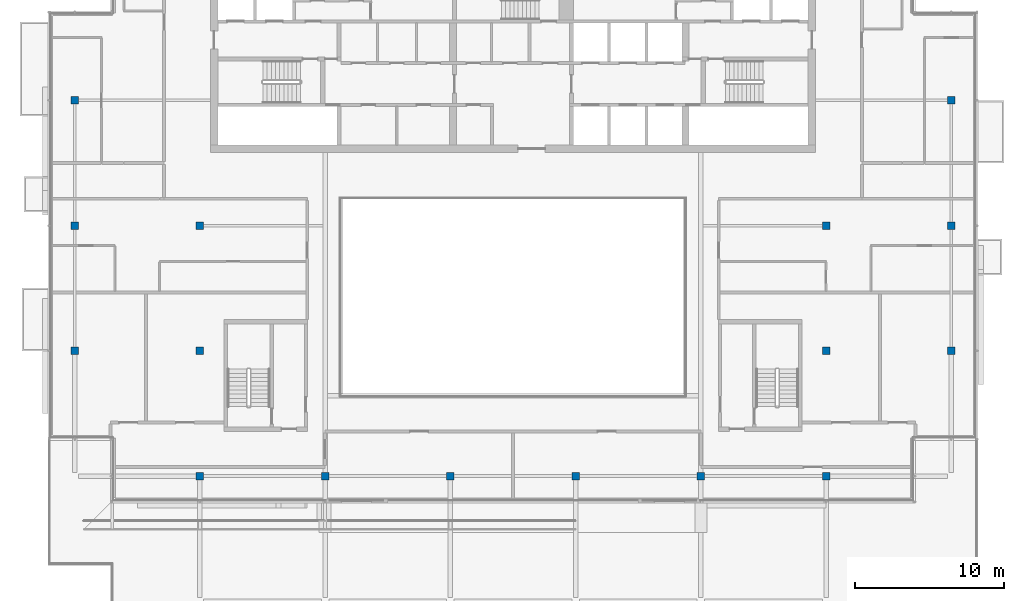
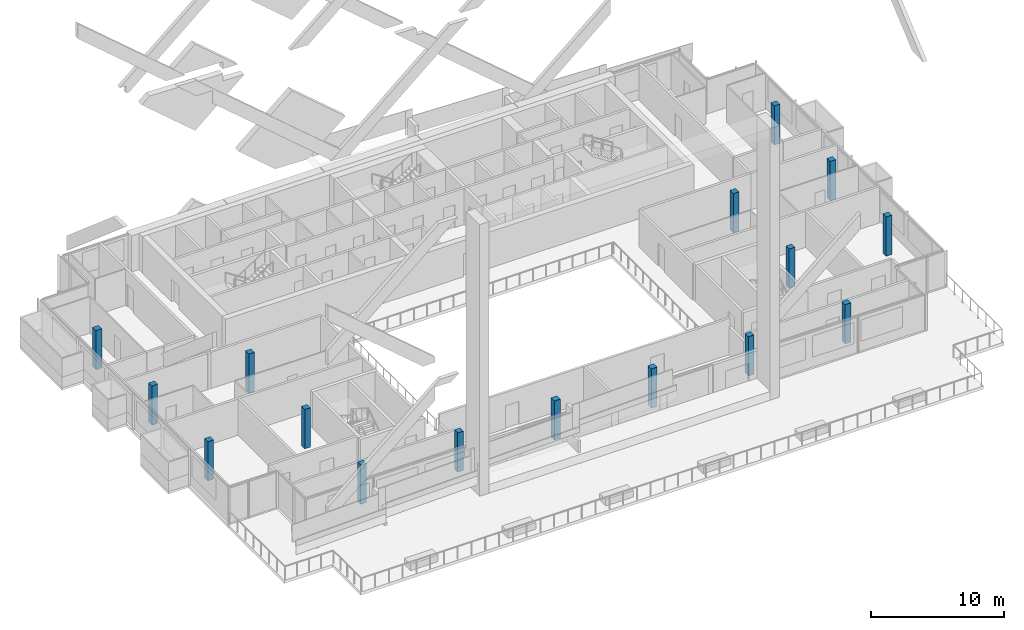
# One storey, part 1 of 22: 16 columns.
"""IFC4 building model written with IfcOpenShell, lengths in metres."""

from ifc_helpers import new_model, si_unit, direction, frame, origin, origin_2d, place, context, subcontext, project, spatial, rectangle, extrude, material, material_profile, profile_set, type_object, element, save


model = new_model("IFC4")

# Units and contexts
model_context = context("Model", 3, precision=1e-05, world=origin(), true_north=direction((0.0, 1.0)))
body_context = subcontext(model_context, "Body", "Model", "MODEL_VIEW")
ifc_project = project(units=[si_unit("LENGTHUNIT", "METRE"), si_unit("AREAUNIT", "SQUARE_METRE"), si_unit("VOLUMEUNIT", "CUBIC_METRE"), si_unit("PLANEANGLEUNIT", "RADIAN"), si_unit("MASSUNIT", "GRAM", prefix="KILO")], contexts=[model_context])

# Site, building, storey
site_placement = place(None, origin())
site = spatial("IfcSite", under=ifc_project, at=site_placement, CompositionType="ELEMENT")
building_placement = place(site_placement, origin())
building = spatial("IfcBuilding", under=site, at=building_placement, Name="Saffron Gate Tower", CompositionType="ELEMENT")
storey_placement = place(building_placement, frame((0.0, 0.0, 285.14990234375)))
storey = spatial("IfcBuildingStorey", under=building, at=storey_placement, Name="L69", CompositionType="ELEMENT", Elevation=285.14990234375)

# Columns
ifc_material = material(Name="Concrete C40", Category="concrete")
ifc_material_profile = material_profile(ifc_material, rectangle(XDim=0.5, YDim=0.5, at=origin_2d()))
ifc_profile_set = profile_set([ifc_material_profile], Name="Concrete C40")
column_type = type_object("IfcColumnType", Name="C1 RC 500x500 CONCRETE C40", PredefinedType="COLUMN", material=ifc_profile_set)
for number, where, z_axis, x_axis, name in (
    (1, (58.199951171875, 48.60009765625, 0.0), (0.0, 0.0, 1.0), (1.0, 0.0, 0.0), "C1 COLUMN X2-C"),
    (2, (58.199951171875, 57.0, 0.0), (0.0, 0.0, 1.0), (1.0, 0.0, 0.0), "C1 COLUMN X2-D"),
    (3, (58.199951171875, 65.39990234375, 0.0), (0.0, 0.0, 1.0), (1.0, 0.0, 0.0), "C1 COLUMN X2-E"),
    (4, (66.60009765625, 40.199951171875, 0.0), (0.0, 0.0, 1.0), (1.0, 0.0, 0.0), "C1 COLUMN X3-B"),
    (5, (66.60009765625, 48.60009765625, 0.0), (0.0, 0.0, 1.0), (1.0, 0.0, 0.0), "C1 COLUMN X3-C"),
    (6, (66.60009765625, 57.0, 0.0), (0.0, 0.0, 1.0), (1.0, 0.0, 0.0), "C1 COLUMN X3-D"),
    (7, (75.0, 40.199951171875, 0.0), (0.0, 0.0, 1.0), (1.0, 0.0, 0.0), "C1 COLUMN X4-B"),
    (8, (83.39990234375, 40.199951171875, 0.0), (0.0, 0.0, 1.0), (1.0, 0.0, 0.0), "C1 COLUMN X5-B"),
    (9, (91.800048828125, 40.199951171875, 0.0), (0.0, 0.0, 1.0), (1.0, 0.0, 0.0), "C1 COLUMN X6-B"),
    (10, (100.199951171875, 40.199951171875, 0.0), (0.0, 0.0, 1.0), (1.0, 0.0, 0.0), "C1 COLUMN X7-B"),
    (11, (108.60009765625, 40.199951171875, 0.0), (0.0, 0.0, 1.0), (1.0, 0.0, 0.0), "C1 COLUMN X8-B"),
    (12, (108.60009765625, 48.60009765625, 0.0), (0.0, 0.0, 1.0), (1.0, 0.0, 0.0), "C1 COLUMN X8-C"),
    (13, (108.60009765625, 57.0, 0.0), (0.0, 0.0, 1.0), (1.0, 0.0, 0.0), "C1 COLUMN X8-D"),
    (14, (117.0, 48.60009765625, 0.0), (0.0, 0.0, 1.0), (1.0, 0.0, 0.0), "C1 COLUMN X9-C"),
    (15, (117.0, 57.0, 0.0), (0.0, 0.0, 1.0), (1.0, 0.0, 0.0), "C1 COLUMN X9-D"),
    (16, (117.0, 65.39990234375, 0.0), (0.0, 0.0, 1.0), (1.0, 0.0, 0.0), "C1 COLUMN X9-E"),
):
    element("IfcColumn", number, at=place(storey_placement, frame(where, z_axis=z_axis, x_axis=x_axis)), inside=storey, type_object=column_type, Name=name, PredefinedType="COLUMN", context=body_context, shape_type="SweptSolid", body=[
        extrude(rectangle(XDim=0.5, YDim=0.5, at=origin_2d()), origin(), (0.0, 0.0, 1.0), 3.60009765625),
    ])

save(model, "model.ifc")
